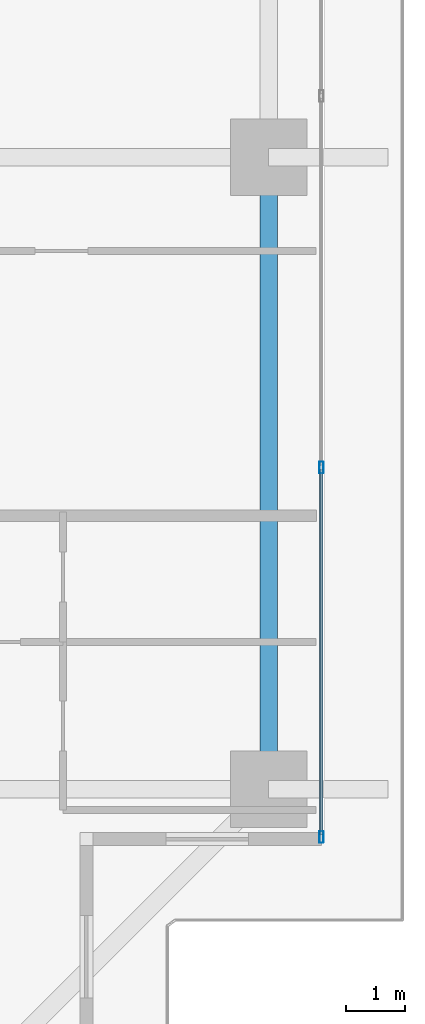
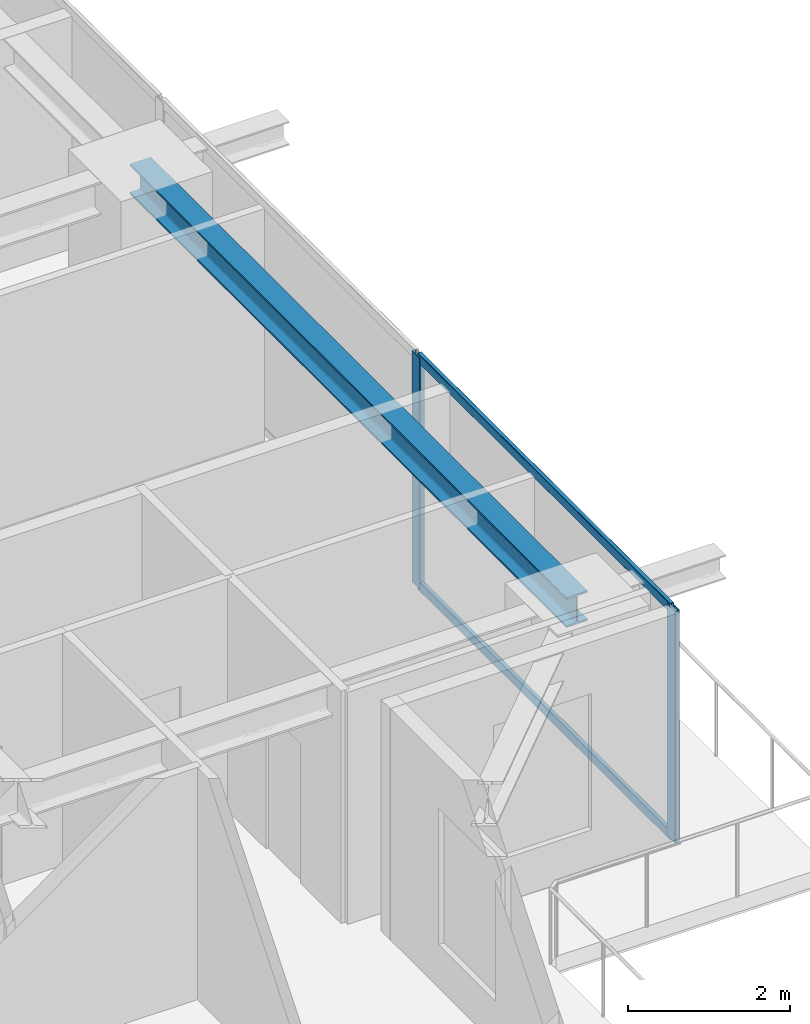
# One storey, part 14 of 38: 4 members, 1 beam, 1 element without a shape of its own.
"""IFC4 building model written with IfcOpenShell, lengths in metres."""

from ifc_helpers import new_model, si_unit, direction, frame, origin, origin_2d, place, context, subcontext, project, spatial, hollow_rectangle, i_section, extrude, source, transform, mapped, material, layer, layer_set, material_profile, profile_set, type_object, element, aggregate, save


model = new_model("IFC4")

# Units and contexts
model_context = context("Model", 3, precision=1e-05, world=origin(), true_north=direction((0.0, 1.0)))
body_context = subcontext(model_context, "Body", "Model", "MODEL_VIEW")
ifc_project = project(units=[si_unit("LENGTHUNIT", "METRE"), si_unit("AREAUNIT", "SQUARE_METRE"), si_unit("VOLUMEUNIT", "CUBIC_METRE"), si_unit("PLANEANGLEUNIT", "RADIAN"), si_unit("MASSUNIT", "GRAM", prefix="KILO")], contexts=[model_context])

# Site, building, storey
site_placement = place(None, origin())
site = spatial("IfcSite", under=ifc_project, at=site_placement, CompositionType="ELEMENT")
building_placement = place(site_placement, origin())
building = spatial("IfcBuilding", under=site, at=building_placement, Name="Serunith Strait Residences", CompositionType="ELEMENT")
storey_placement = place(building_placement, frame((0.0, 0.0, 120.14990234375)))
storey = spatial("IfcBuildingStorey", under=building, at=storey_placement, Name="L29", CompositionType="ELEMENT", Elevation=120.14990234375)

# Beam
ifc_material_1 = material(Name="Steel S355J2", Category="steel")
ifc_material_profile_1 = material_profile(ifc_material_1, i_section(OverallWidth=0.300048828125, OverallDepth=0.449951171875, WebThickness=0.013916015625, FlangeThickness=0.02587890625, FilletRadius=0.027099609375, at=origin_2d()), Name="HEB 450")
ifc_profile_set_1 = profile_set([ifc_material_profile_1], Name="Steel S355J2")
beam_type = type_object("IfcBeamType", Name="BM-HEB450", PredefinedType="BEAM", material=ifc_profile_set_1)
shared_shape_1 = source(origin(), body_context, "Body", "SweptSolid", [
    extrude(i_section(OverallWidth=0.300048828125, OverallDepth=0.449951171875, WebThickness=0.013916015625, FlangeThickness=0.02587890625, FilletRadius=0.027099609375, at=origin_2d()), origin(), (0.0, 0.0, 1.0), 10.75),
])
beam_placement = place(storey_placement, frame((56.10009765625, 10.25, 3.26220703125), z_axis=(0.0, 1.0, 0.0), x_axis=(-1.0, 0.0, 0.0)))
element("IfcBeam", 1, at=beam_placement, inside=storey, type_object=beam_type, Name="L29 Perimeter Ring Beam 05", PredefinedType="BEAM", context=body_context, shape_type="MappedRepresentation", body=[
    mapped(shared_shape_1, transform((0.0, 0.0, 0.0), scale=1.0)),
])

# Curtain wall, members
ifc_material_2 = material(Name="Pale-Champagne Anodised Aluminium", Category="aluminium")
ifc_layer = layer(ifc_material_2, 0.199951171875, Name="Pale-Champagne Anodised Aluminium")
ifc_layer_set = layer_set([ifc_layer], Name="Pale-Champagne Anodised Aluminium")
curtain_wall_type = type_object("IfcCurtainWallType", Name="CW-SYS2", PredefinedType="NOTDEFINED", material=ifc_layer_set)
curtain_wall_placement = place(storey_placement, origin())
curtain_wall = element("IfcCurtainWall", 2, at=curtain_wall_placement, inside=storey, type_object=curtain_wall_type, Name="L29 E Unitised Fritted Curtain Wall", PredefinedType="NOTDEFINED")
ifc_material_profile_2 = material_profile(ifc_material_2, hollow_rectangle(XDim=0.070068359375, YDim=0.199951171875, WallThickness=0.00390625, InnerFilletRadius=0.006103515625, OuterFilletRadius=0.010009765625, at=origin_2d()), Name="ALU 200x70x4")
ifc_profile_set_2 = profile_set([ifc_material_profile_2], Name="Pale-Champagne Anodised Aluminium")
member_type_1 = type_object("IfcMemberType", Name="CW-SYS2-MULL", PredefinedType="MULLION", material=ifc_profile_set_2)
shared_shape_2 = source(origin(), body_context, "Body", "SweptSolid", [
    extrude(hollow_rectangle(XDim=0.070068359375, YDim=0.199951171875, WallThickness=0.00390625, InnerFilletRadius=0.006103515625, OuterFilletRadius=0.010009765625, at=origin_2d()), origin(), (0.0, 0.0, 1.0), 3.47509765625),
])
member_1_placement = place(storey_placement, frame((57.0, 9.43505859375, 0.0), z_axis=(0.0, 0.0, 1.0), x_axis=(-1.0, 0.0, 0.0)))
member_1 = element("IfcMember", 3, at=member_1_placement, type_object=member_type_1, Name="CW-2 mullion 1", PredefinedType="MULLION", context=body_context, shape_type="MappedRepresentation", body=[
    mapped(shared_shape_2, transform((0.0, 0.0, 0.0), scale=1.0)),
])
member_2_placement = place(storey_placement, frame((57.0, 15.719970703125, 0.0), z_axis=(0.0, 0.0, 1.0), x_axis=(-1.0, 0.0, 0.0)))
member_2 = element("IfcMember", 4, at=member_2_placement, type_object=member_type_1, Name="CW-2 mullion 2", PredefinedType="MULLION", context=body_context, shape_type="MappedRepresentation", body=[
    mapped(shared_shape_2, transform((0.0, 0.0, 0.0), scale=1.0)),
])
ifc_material_profile_3 = material_profile(ifc_material_2, hollow_rectangle(XDim=0.06005859375, YDim=0.139892578125, WallThickness=0.00341796875, InnerFilletRadius=0.00537109375, OuterFilletRadius=0.0087890625, at=origin_2d()), Name="ALU 140x60x3.5")
ifc_profile_set_3 = profile_set([ifc_material_profile_3], Name="Pale-Champagne Anodised Aluminium")
member_type_2 = type_object("IfcMemberType", Name="CW-SYS2-TRAN", PredefinedType="USERDEFINED", material=ifc_profile_set_3)
shared_shape_3 = source(origin(), body_context, "Body", "SweptSolid", [
    extrude(hollow_rectangle(XDim=0.06005859375, YDim=0.139892578125, WallThickness=0.00341796875, InnerFilletRadius=0.00537109375, OuterFilletRadius=0.0087890625, at=origin_2d()), origin(), (0.0, 0.0, 1.0), 6.215087890625),
])
member_3_placement = place(storey_placement, frame((57.0, 9.469970703125, 0.030029296875), z_axis=(0.0, 1.0, 0.0), x_axis=(-1.0, 0.0, 0.0)))
member_3 = element("IfcMember", 5, at=member_3_placement, type_object=member_type_2, Name="CW-2 transom 1.1", ObjectType="TRANSOM", PredefinedType="USERDEFINED", context=body_context, shape_type="MappedRepresentation", body=[
    mapped(shared_shape_3, transform((0.0, 0.0, 0.0), scale=1.0)),
])
member_4_placement = place(storey_placement, frame((57.0, 9.469970703125, 3.445068359375), z_axis=(0.0, 1.0, 0.0), x_axis=(-1.0, 0.0, 0.0)))
member_4 = element("IfcMember", 6, at=member_4_placement, type_object=member_type_2, Name="CW-2 transom 1.2", ObjectType="TRANSOM", PredefinedType="USERDEFINED", context=body_context, shape_type="MappedRepresentation", body=[
    mapped(shared_shape_3, transform((0.0, 0.0, 0.0), scale=1.0)),
])
aggregate(curtain_wall, [member_1, member_2, member_3, member_4])

save(model, "model.ifc")
